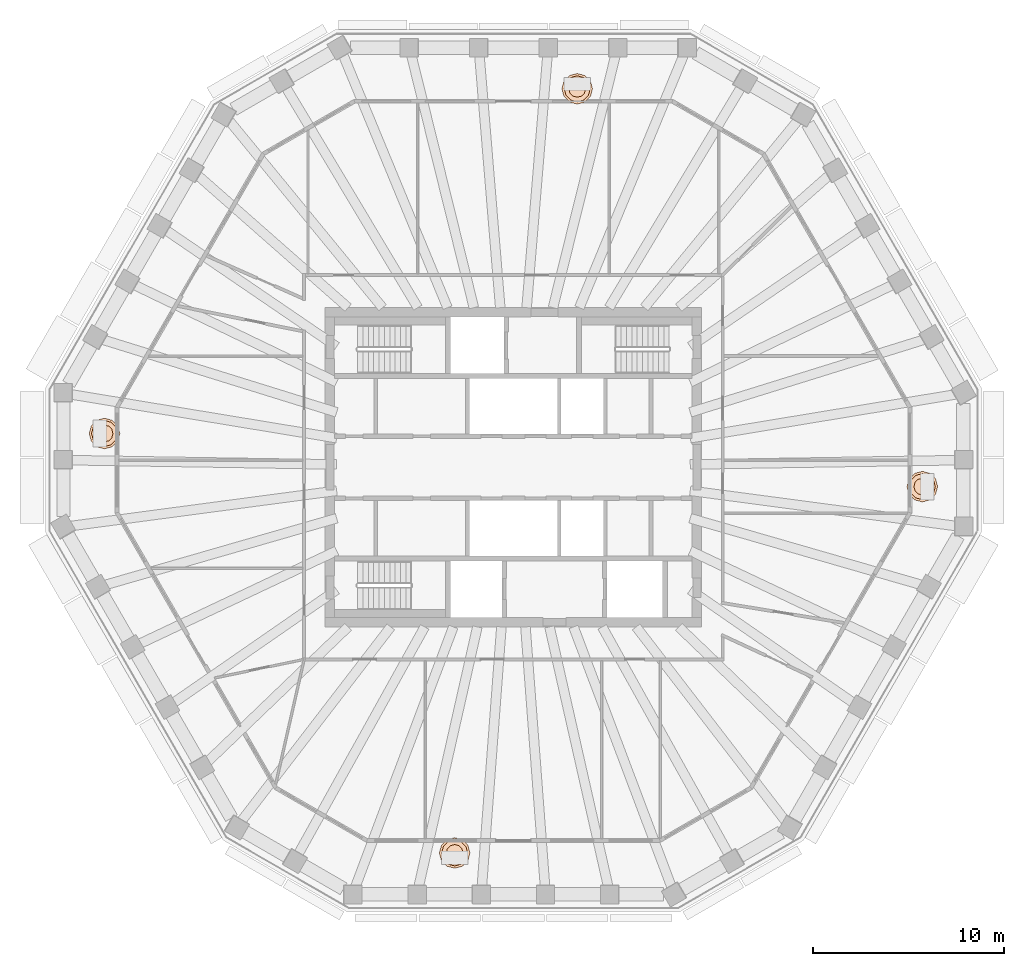
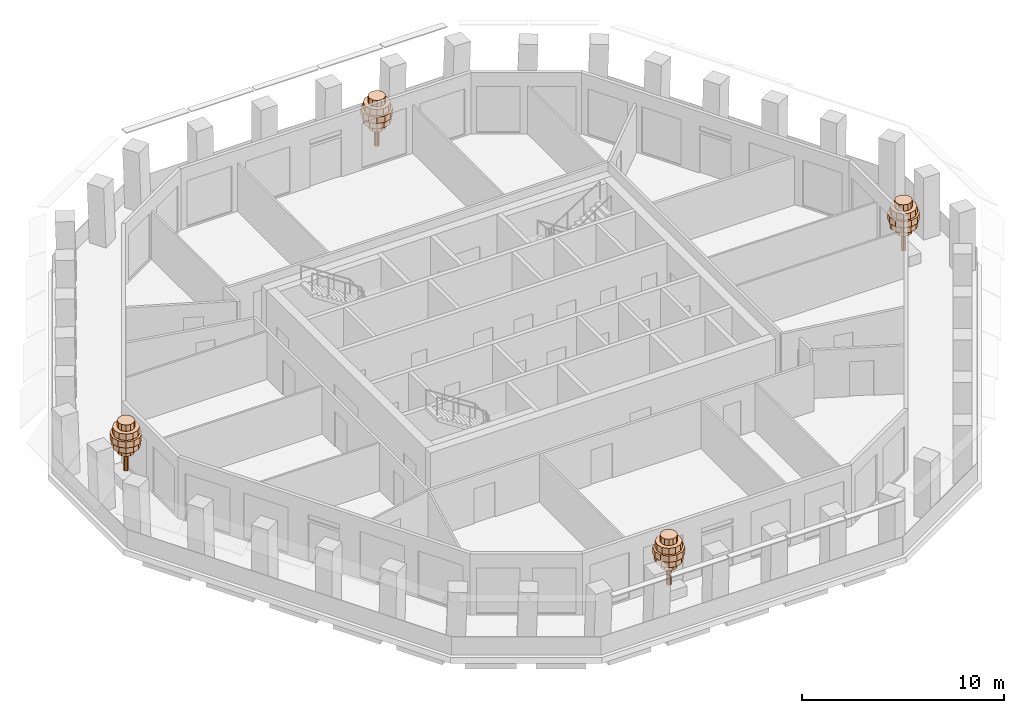
# One storey, part 11 of 11: 4 geographic elements.
"""IFC4 building model written with IfcOpenShell, lengths in metres."""

from ifc_helpers import new_model, si_unit, direction, frame, origin, place, context, subcontext, project, spatial, polyline, outline, extrude, material, type_object, element, save


model = new_model("IFC4")

# Units and contexts
model_context = context("Model", 3, precision=1e-05, world=origin(), true_north=direction((0.0, 1.0)))
body_context = subcontext(model_context, "Body", "Model", "MODEL_VIEW")
ifc_project = project(units=[si_unit("LENGTHUNIT", "METRE"), si_unit("AREAUNIT", "SQUARE_METRE"), si_unit("VOLUMEUNIT", "CUBIC_METRE"), si_unit("PLANEANGLEUNIT", "RADIAN"), si_unit("MASSUNIT", "GRAM", prefix="KILO")], contexts=[model_context])

# Site, building, storey
site_placement = place(None, origin())
site = spatial("IfcSite", under=ifc_project, at=site_placement, CompositionType="ELEMENT")
building_placement = place(site_placement, origin())
building = spatial("IfcBuilding", under=site, at=building_placement, Name="Frailejon Research Tower", CompositionType="ELEMENT")
storey_placement = place(building_placement, frame((0.0, 0.0, 275.0)))
storey = spatial("IfcBuildingStorey", under=building, at=storey_placement, Name="L60", CompositionType="ELEMENT", Elevation=275.0)

# Geographic elements
ifc_material = material(Name="Foliage, green")
geographic_element_type = type_object("IfcGeographicElementType", Name="Frailejon tree, loggia", PredefinedType="USERDEFINED", material=ifc_material)
geographic_element_1_placement = place(storey_placement, frame((21.3916015625, -1.01220703125, 0.60009765625)))
element("IfcGeographicElement", 1, at=geographic_element_1_placement, inside=storey, type_object=geographic_element_type, Name="Tree L60", ObjectType="TREE", PredefinedType="USERDEFINED", context=body_context, shape_type="SweptSolid", body=[
    extrude(outline(polyline([(0.1298828125, 0.0), (0.112548828125, 0.06494140625), (0.06494140625, 0.112548828125), (0.0, 0.1298828125), (-0.06494140625, 0.112548828125), (-0.112548828125, 0.06494140625), (-0.1298828125, 0.0), (-0.112548828125, -0.06494140625), (-0.06494140625, -0.112548828125), (0.0, -0.1298828125), (0.06494140625, -0.112548828125), (0.112548828125, -0.06494140625), (0.1298828125, 0.0)])), origin(), (0.0, 0.0, 1.0), 2.239990234375),
    extrude(outline(polyline([(0.43994140625, 0.0), (0.381103515625, 0.219970703125), (0.219970703125, 0.381103515625), (0.0, 0.43994140625), (-0.219970703125, 0.381103515625), (-0.381103515625, 0.219970703125), (-0.43994140625, 0.0), (-0.381103515625, -0.219970703125), (-0.219970703125, -0.381103515625), (0.0, -0.43994140625), (0.219970703125, -0.381103515625), (0.381103515625, -0.219970703125), (0.43994140625, 0.0)])), frame((0.0, 0.0, 1.10009765625)), (0.0, 0.0, 1.0), 0.3798828125),
    extrude(outline(polyline([(0.719970703125, 0.0), (0.62353515625, 0.360107421875), (0.360107421875, 0.62353515625), (0.0, 0.719970703125), (-0.360107421875, 0.62353515625), (-0.62353515625, 0.360107421875), (-0.719970703125, 0.0), (-0.62353515625, -0.360107421875), (-0.360107421875, -0.62353515625), (0.0, -0.719970703125), (0.360107421875, -0.62353515625), (0.62353515625, -0.360107421875), (0.719970703125, 0.0)])), frame((0.0, 0.0, 1.47998046875)), (0.0, 0.0, 1.0), 0.3798828125),
    extrude(outline(polyline([(0.800048828125, 0.0), (0.69287109375, 0.39990234375), (0.39990234375, 0.69287109375), (0.0, 0.800048828125), (-0.39990234375, 0.69287109375), (-0.69287109375, 0.39990234375), (-0.800048828125, 0.0), (-0.69287109375, -0.39990234375), (-0.39990234375, -0.69287109375), (0.0, -0.800048828125), (0.39990234375, -0.69287109375), (0.69287109375, -0.39990234375), (0.800048828125, 0.0)])), frame((0.0, 0.0, 1.860107421875)), (0.0, 0.0, 1.0), 0.3798828125),
    extrude(outline(polyline([(0.679931640625, 0.0), (0.5888671875, 0.340087890625), (0.340087890625, 0.5888671875), (0.0, 0.679931640625), (-0.340087890625, 0.5888671875), (-0.5888671875, 0.340087890625), (-0.679931640625, 0.0), (-0.5888671875, -0.340087890625), (-0.340087890625, -0.5888671875), (0.0, -0.679931640625), (0.340087890625, -0.5888671875), (0.5888671875, -0.340087890625), (0.679931640625, 0.0)])), frame((0.0, 0.0, 2.239990234375)), (0.0, 0.0, 1.0), 0.3798828125),
    extrude(outline(polyline([(0.43994140625, 0.0), (0.381103515625, 0.219970703125), (0.219970703125, 0.381103515625), (0.0, 0.43994140625), (-0.219970703125, 0.381103515625), (-0.381103515625, 0.219970703125), (-0.43994140625, 0.0), (-0.381103515625, -0.219970703125), (-0.219970703125, -0.381103515625), (0.0, -0.43994140625), (0.219970703125, -0.381103515625), (0.381103515625, -0.219970703125), (0.43994140625, 0.0)])), frame((0.0, 0.0, 2.6201171875)), (0.0, 0.0, 1.0), 0.3798828125),
])
geographic_element_2_placement = place(storey_placement, frame((3.33642578125, 19.800048828125, 0.60009765625)))
element("IfcGeographicElement", 2, at=geographic_element_2_placement, inside=storey, type_object=geographic_element_type, Name="Tree L60", ObjectType="TREE", PredefinedType="USERDEFINED", context=body_context, shape_type="SweptSolid", body=[
    extrude(outline(polyline([(0.1298828125, 0.0), (0.112548828125, 0.06494140625), (0.06494140625, 0.112548828125), (0.0, 0.1298828125), (-0.06494140625, 0.112548828125), (-0.112548828125, 0.06494140625), (-0.1298828125, 0.0), (-0.112548828125, -0.06494140625), (-0.06494140625, -0.112548828125), (0.0, -0.1298828125), (0.06494140625, -0.112548828125), (0.112548828125, -0.06494140625), (0.1298828125, 0.0)])), origin(), (0.0, 0.0, 1.0), 2.239990234375),
    extrude(outline(polyline([(0.43994140625, 0.0), (0.381103515625, 0.219970703125), (0.219970703125, 0.381103515625), (0.0, 0.43994140625), (-0.219970703125, 0.381103515625), (-0.381103515625, 0.219970703125), (-0.43994140625, 0.0), (-0.381103515625, -0.219970703125), (-0.219970703125, -0.381103515625), (0.0, -0.43994140625), (0.219970703125, -0.381103515625), (0.381103515625, -0.219970703125), (0.43994140625, 0.0)])), frame((0.0, 0.0, 1.10009765625)), (0.0, 0.0, 1.0), 0.3798828125),
    extrude(outline(polyline([(0.719970703125, 0.0), (0.62353515625, 0.360107421875), (0.360107421875, 0.62353515625), (0.0, 0.719970703125), (-0.360107421875, 0.62353515625), (-0.62353515625, 0.360107421875), (-0.719970703125, 0.0), (-0.62353515625, -0.360107421875), (-0.360107421875, -0.62353515625), (0.0, -0.719970703125), (0.360107421875, -0.62353515625), (0.62353515625, -0.360107421875), (0.719970703125, 0.0)])), frame((0.0, 0.0, 1.47998046875)), (0.0, 0.0, 1.0), 0.3798828125),
    extrude(outline(polyline([(0.800048828125, 0.0), (0.69287109375, 0.39990234375), (0.39990234375, 0.69287109375), (0.0, 0.800048828125), (-0.39990234375, 0.69287109375), (-0.69287109375, 0.39990234375), (-0.800048828125, 0.0), (-0.69287109375, -0.39990234375), (-0.39990234375, -0.69287109375), (0.0, -0.800048828125), (0.39990234375, -0.69287109375), (0.69287109375, -0.39990234375), (0.800048828125, 0.0)])), frame((0.0, 0.0, 1.860107421875)), (0.0, 0.0, 1.0), 0.3798828125),
    extrude(outline(polyline([(0.679931640625, 0.0), (0.5888671875, 0.340087890625), (0.340087890625, 0.5888671875), (0.0, 0.679931640625), (-0.340087890625, 0.5888671875), (-0.5888671875, 0.340087890625), (-0.679931640625, 0.0), (-0.5888671875, -0.340087890625), (-0.340087890625, -0.5888671875), (0.0, -0.679931640625), (0.340087890625, -0.5888671875), (0.5888671875, -0.340087890625), (0.679931640625, 0.0)])), frame((0.0, 0.0, 2.239990234375)), (0.0, 0.0, 1.0), 0.3798828125),
    extrude(outline(polyline([(0.43994140625, 0.0), (0.381103515625, 0.219970703125), (0.219970703125, 0.381103515625), (0.0, 0.43994140625), (-0.219970703125, 0.381103515625), (-0.381103515625, 0.219970703125), (-0.43994140625, 0.0), (-0.381103515625, -0.219970703125), (-0.219970703125, -0.381103515625), (0.0, -0.43994140625), (0.219970703125, -0.381103515625), (0.381103515625, -0.219970703125), (0.43994140625, 0.0)])), frame((0.0, 0.0, 2.6201171875)), (0.0, 0.0, 1.0), 0.3798828125),
])
geographic_element_3_placement = place(storey_placement, frame((-21.3916015625, 1.766357421875, 0.60009765625)))
element("IfcGeographicElement", 3, at=geographic_element_3_placement, inside=storey, type_object=geographic_element_type, Name="Tree L60", ObjectType="TREE", PredefinedType="USERDEFINED", context=body_context, shape_type="SweptSolid", body=[
    extrude(outline(polyline([(0.1298828125, 0.0), (0.112548828125, 0.06494140625), (0.06494140625, 0.112548828125), (0.0, 0.1298828125), (-0.06494140625, 0.112548828125), (-0.112548828125, 0.06494140625), (-0.1298828125, 0.0), (-0.112548828125, -0.06494140625), (-0.06494140625, -0.112548828125), (0.0, -0.1298828125), (0.06494140625, -0.112548828125), (0.112548828125, -0.06494140625), (0.1298828125, 0.0)])), origin(), (0.0, 0.0, 1.0), 2.239990234375),
    extrude(outline(polyline([(0.43994140625, 0.0), (0.381103515625, 0.219970703125), (0.219970703125, 0.381103515625), (0.0, 0.43994140625), (-0.219970703125, 0.381103515625), (-0.381103515625, 0.219970703125), (-0.43994140625, 0.0), (-0.381103515625, -0.219970703125), (-0.219970703125, -0.381103515625), (0.0, -0.43994140625), (0.219970703125, -0.381103515625), (0.381103515625, -0.219970703125), (0.43994140625, 0.0)])), frame((0.0, 0.0, 1.10009765625)), (0.0, 0.0, 1.0), 0.3798828125),
    extrude(outline(polyline([(0.719970703125, 0.0), (0.62353515625, 0.360107421875), (0.360107421875, 0.62353515625), (0.0, 0.719970703125), (-0.360107421875, 0.62353515625), (-0.62353515625, 0.360107421875), (-0.719970703125, 0.0), (-0.62353515625, -0.360107421875), (-0.360107421875, -0.62353515625), (0.0, -0.719970703125), (0.360107421875, -0.62353515625), (0.62353515625, -0.360107421875), (0.719970703125, 0.0)])), frame((0.0, 0.0, 1.47998046875)), (0.0, 0.0, 1.0), 0.3798828125),
    extrude(outline(polyline([(0.800048828125, 0.0), (0.69287109375, 0.39990234375), (0.39990234375, 0.69287109375), (0.0, 0.800048828125), (-0.39990234375, 0.69287109375), (-0.69287109375, 0.39990234375), (-0.800048828125, 0.0), (-0.69287109375, -0.39990234375), (-0.39990234375, -0.69287109375), (0.0, -0.800048828125), (0.39990234375, -0.69287109375), (0.69287109375, -0.39990234375), (0.800048828125, 0.0)])), frame((0.0, 0.0, 1.860107421875)), (0.0, 0.0, 1.0), 0.3798828125),
    extrude(outline(polyline([(0.679931640625, 0.0), (0.5888671875, 0.340087890625), (0.340087890625, 0.5888671875), (0.0, 0.679931640625), (-0.340087890625, 0.5888671875), (-0.5888671875, 0.340087890625), (-0.679931640625, 0.0), (-0.5888671875, -0.340087890625), (-0.340087890625, -0.5888671875), (0.0, -0.679931640625), (0.340087890625, -0.5888671875), (0.5888671875, -0.340087890625), (0.679931640625, 0.0)])), frame((0.0, 0.0, 2.239990234375)), (0.0, 0.0, 1.0), 0.3798828125),
    extrude(outline(polyline([(0.43994140625, 0.0), (0.381103515625, 0.219970703125), (0.219970703125, 0.381103515625), (0.0, 0.43994140625), (-0.219970703125, 0.381103515625), (-0.381103515625, 0.219970703125), (-0.43994140625, 0.0), (-0.381103515625, -0.219970703125), (-0.219970703125, -0.381103515625), (0.0, -0.43994140625), (0.219970703125, -0.381103515625), (0.381103515625, -0.219970703125), (0.43994140625, 0.0)])), frame((0.0, 0.0, 2.6201171875)), (0.0, 0.0, 1.0), 0.3798828125),
])
geographic_element_4_placement = place(storey_placement, frame((-3.0751953125, -20.177001953125, 0.60009765625)))
element("IfcGeographicElement", 4, at=geographic_element_4_placement, inside=storey, type_object=geographic_element_type, Name="Tree L60", ObjectType="TREE", PredefinedType="USERDEFINED", context=body_context, shape_type="SweptSolid", body=[
    extrude(outline(polyline([(0.1298828125, 0.0), (0.112548828125, 0.06494140625), (0.06494140625, 0.112548828125), (0.0, 0.1298828125), (-0.06494140625, 0.112548828125), (-0.112548828125, 0.06494140625), (-0.1298828125, 0.0), (-0.112548828125, -0.06494140625), (-0.06494140625, -0.112548828125), (0.0, -0.1298828125), (0.06494140625, -0.112548828125), (0.112548828125, -0.06494140625), (0.1298828125, 0.0)])), origin(), (0.0, 0.0, 1.0), 2.239990234375),
    extrude(outline(polyline([(0.43994140625, 0.0), (0.381103515625, 0.219970703125), (0.219970703125, 0.381103515625), (0.0, 0.43994140625), (-0.219970703125, 0.381103515625), (-0.381103515625, 0.219970703125), (-0.43994140625, 0.0), (-0.381103515625, -0.219970703125), (-0.219970703125, -0.381103515625), (0.0, -0.43994140625), (0.219970703125, -0.381103515625), (0.381103515625, -0.219970703125), (0.43994140625, 0.0)])), frame((0.0, 0.0, 1.10009765625)), (0.0, 0.0, 1.0), 0.3798828125),
    extrude(outline(polyline([(0.719970703125, 0.0), (0.62353515625, 0.360107421875), (0.360107421875, 0.62353515625), (0.0, 0.719970703125), (-0.360107421875, 0.62353515625), (-0.62353515625, 0.360107421875), (-0.719970703125, 0.0), (-0.62353515625, -0.360107421875), (-0.360107421875, -0.62353515625), (0.0, -0.719970703125), (0.360107421875, -0.62353515625), (0.62353515625, -0.360107421875), (0.719970703125, 0.0)])), frame((0.0, 0.0, 1.47998046875)), (0.0, 0.0, 1.0), 0.3798828125),
    extrude(outline(polyline([(0.800048828125, 0.0), (0.69287109375, 0.39990234375), (0.39990234375, 0.69287109375), (0.0, 0.800048828125), (-0.39990234375, 0.69287109375), (-0.69287109375, 0.39990234375), (-0.800048828125, 0.0), (-0.69287109375, -0.39990234375), (-0.39990234375, -0.69287109375), (0.0, -0.800048828125), (0.39990234375, -0.69287109375), (0.69287109375, -0.39990234375), (0.800048828125, 0.0)])), frame((0.0, 0.0, 1.860107421875)), (0.0, 0.0, 1.0), 0.3798828125),
    extrude(outline(polyline([(0.679931640625, 0.0), (0.5888671875, 0.340087890625), (0.340087890625, 0.5888671875), (0.0, 0.679931640625), (-0.340087890625, 0.5888671875), (-0.5888671875, 0.340087890625), (-0.679931640625, 0.0), (-0.5888671875, -0.340087890625), (-0.340087890625, -0.5888671875), (0.0, -0.679931640625), (0.340087890625, -0.5888671875), (0.5888671875, -0.340087890625), (0.679931640625, 0.0)])), frame((0.0, 0.0, 2.239990234375)), (0.0, 0.0, 1.0), 0.3798828125),
    extrude(outline(polyline([(0.43994140625, 0.0), (0.381103515625, 0.219970703125), (0.219970703125, 0.381103515625), (0.0, 0.43994140625), (-0.219970703125, 0.381103515625), (-0.381103515625, 0.219970703125), (-0.43994140625, 0.0), (-0.381103515625, -0.219970703125), (-0.219970703125, -0.381103515625), (0.0, -0.43994140625), (0.219970703125, -0.381103515625), (0.381103515625, -0.219970703125), (0.43994140625, 0.0)])), frame((0.0, 0.0, 2.6201171875)), (0.0, 0.0, 1.0), 0.3798828125),
])

save(model, "model.ifc")
